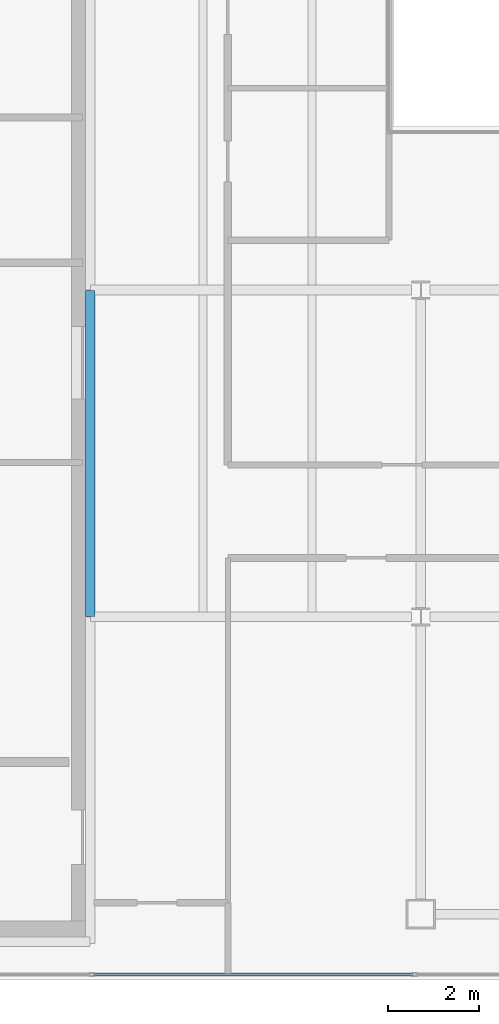
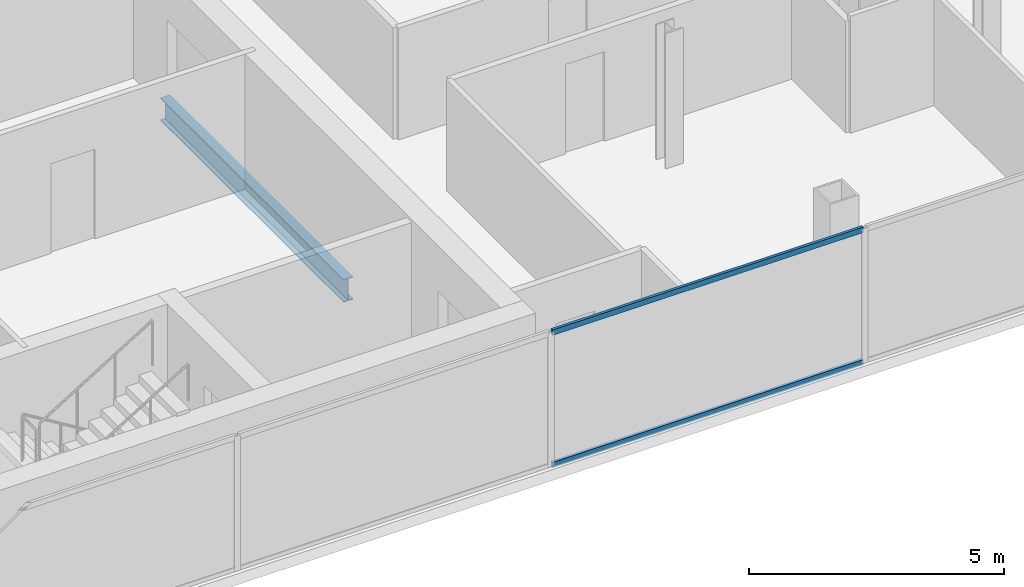
# One storey, part 4 of 23: 2 members, 1 beam, 1 element without a shape of its own.
"""IFC4 building model written with IfcOpenShell, lengths in metres."""

from ifc_helpers import new_model, si_unit, direction, frame, origin, origin_2d, place, context, subcontext, project, spatial, hollow_rectangle, i_section, extrude, material, material_profile, profile_set, type_object, element, aggregate, save


model = new_model("IFC4")

# Units and contexts
model_context = context("Model", 3, precision=1e-05, world=origin(), true_north=direction((0.0, 1.0)))
body_context = subcontext(model_context, "Body", "Model", "MODEL_VIEW")
ifc_project = project(units=[si_unit("LENGTHUNIT", "METRE"), si_unit("AREAUNIT", "SQUARE_METRE"), si_unit("VOLUMEUNIT", "CUBIC_METRE"), si_unit("PLANEANGLEUNIT", "RADIAN"), si_unit("MASSUNIT", "GRAM", prefix="KILO")], contexts=[model_context])

# Site, building, storey
site_placement = place(None, origin())
site = spatial("IfcSite", under=ifc_project, at=site_placement, CompositionType="ELEMENT")
building_placement = place(site_placement, origin())
building = spatial("IfcBuilding", under=site, at=building_placement, Name="Cobrela Telecom Tower", CompositionType="ELEMENT")
storey_placement = place(building_placement, frame((0.0, 0.0, 283.14990234375)))
storey = spatial("IfcBuildingStorey", under=building, at=storey_placement, Name="L74", CompositionType="ELEMENT", Elevation=283.14990234375)

# Beam
ifc_material_1 = material(Name="Steel ASTM A992 Grade 50", Category="steel")
ifc_material_profile_1 = material_profile(ifc_material_1, i_section(OverallWidth=0.212890625, OverallDepth=0.549072265625, WebThickness=0.0146484375, FlangeThickness=0.023681640625, FilletRadius=0.013916015625, at=origin_2d()), Name="W21X93")
ifc_profile_set_1 = profile_set([ifc_material_profile_1], Name="Steel ASTM A992 Grade 50")
beam_type = type_object("IfcBeamType", Name="BM-GIRD-08", PredefinedType="USERDEFINED", material=ifc_profile_set_1)
beam_placement = place(storey_placement, frame((14.320068359375, 14.405029296875, -0.534423828125), z_axis=(0.0, 1.0, 0.0), x_axis=(-1.0, 0.0, 0.0)))
element("IfcBeam", 1, at=beam_placement, inside=storey, type_object=beam_type, Name="L74 Primary Girder Y22", ObjectType="GIRDER", PredefinedType="USERDEFINED", context=body_context, shape_type="SweptSolid", body=[
    extrude(i_section(OverallWidth=0.212890625, OverallDepth=0.549072265625, WebThickness=0.0146484375, FlangeThickness=0.023681640625, FilletRadius=0.013916015625, at=origin_2d()), origin(), (0.0, 0.0, 1.0), 7.18994140625),
])

# Curtain wall, members
ifc_material_2 = material(Name="Anodized Bronze Aluminium 6063-T6", Category="aluminium")
curtain_wall_type = type_object("IfcCurtainWallType", Name="CW-SYS-OFF-HI", PredefinedType="USERDEFINED", material=ifc_material_2)
curtain_wall_placement = place(storey_placement, origin())
curtain_wall = element("IfcCurtainWall", 2, at=curtain_wall_placement, inside=storey, type_object=curtain_wall_type, Name="L74 Unitised Bronze Curtain Wall 15", ObjectType="UNITISED CURTAIN WALL", PredefinedType="USERDEFINED")
ifc_material_profile_2 = material_profile(ifc_material_2, hollow_rectangle(XDim=0.06494140625, YDim=0.1298828125, WallThickness=0.00390625, at=origin_2d()), Name="ALU 65x130x4")
ifc_profile_set_2 = profile_set([ifc_material_profile_2], Name="Anodized Bronze Aluminium 6063-T6")
member_type = type_object("IfcMemberType", Name="CW-SYS-OFF-HI-TRN", PredefinedType="USERDEFINED", material=ifc_profile_set_2)
member_1_placement = place(storey_placement, frame((21.429931640625, 6.52001953125, 0.03271484375), z_axis=(-1.0, 0.0, 0.0), x_axis=(0.0, -1.0, 0.0)))
member_1 = element("IfcMember", 3, at=member_1_placement, type_object=member_type, Name="CW-OFF-HI transom 4.1", ObjectType="TRANSOM", PredefinedType="USERDEFINED", context=body_context, shape_type="SweptSolid", body=[
    extrude(hollow_rectangle(XDim=0.06494140625, YDim=0.1298828125, WallThickness=0.00390625, at=origin_2d()), origin(), (0.0, 0.0, 1.0), 7.044921875),
])
member_2_placement = place(storey_placement, frame((21.429931640625, 6.52001953125, 3.20751953125), z_axis=(-1.0, 0.0, 0.0), x_axis=(0.0, -1.0, 0.0)))
member_2 = element("IfcMember", 4, at=member_2_placement, type_object=member_type, Name="CW-OFF-HI transom 4.2", ObjectType="TRANSOM", PredefinedType="USERDEFINED", context=body_context, shape_type="SweptSolid", body=[
    extrude(hollow_rectangle(XDim=0.06494140625, YDim=0.1298828125, WallThickness=0.00390625, at=origin_2d()), origin(), (0.0, 0.0, 1.0), 7.044921875),
])
aggregate(curtain_wall, [member_1, member_2])

save(model, "model.ifc")
